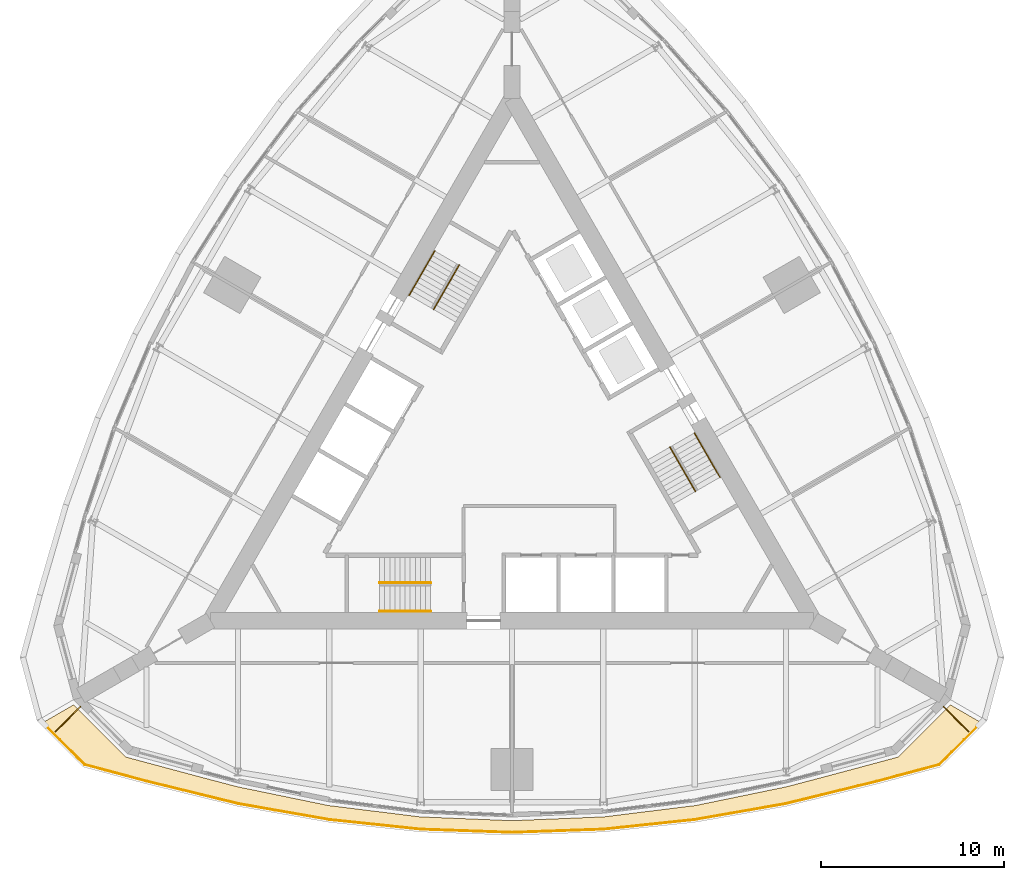
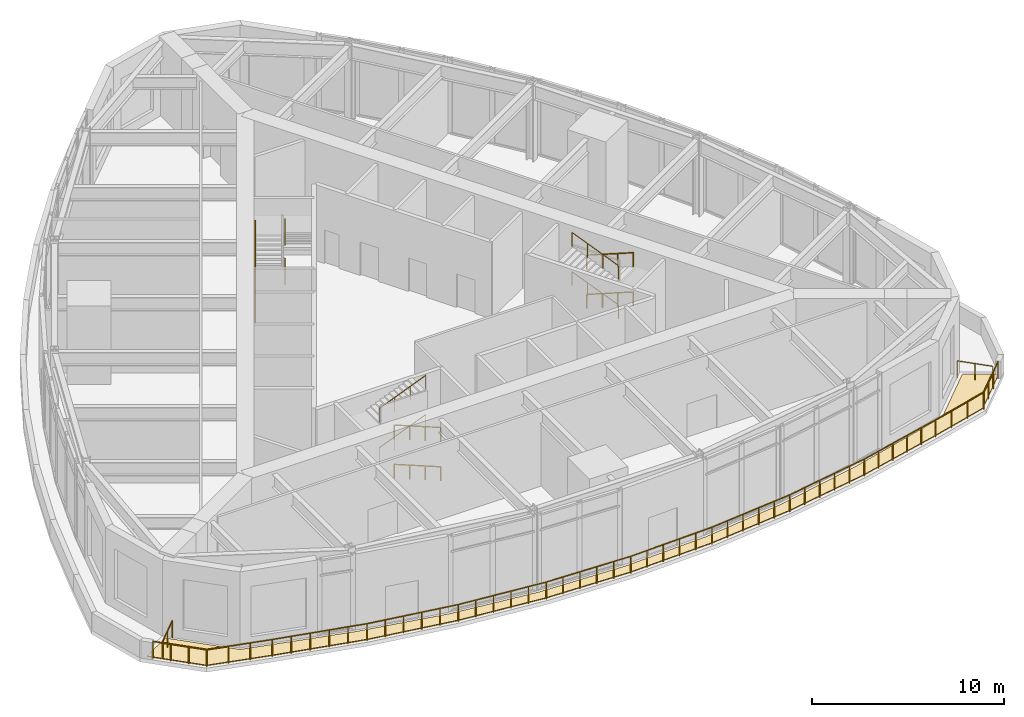
# One storey, part 12 of 13: 15 railings, 1 covering.
"""IFC4 building model written with IfcOpenShell, lengths in metres."""

from ifc_helpers import new_model, si_unit, direction, frame, origin, origin_2d, place, context, subcontext, project, spatial, polyline, circle, outline, extrude, material, layer, layer_set, type_object, element, save


model = new_model("IFC4")

# Units and contexts
model_context = context("Model", 3, precision=1e-05, world=origin(), true_north=direction((0.0, 1.0)))
body_context = subcontext(model_context, "Body", "Model", "MODEL_VIEW")
ifc_project = project(units=[si_unit("LENGTHUNIT", "METRE"), si_unit("AREAUNIT", "SQUARE_METRE"), si_unit("VOLUMEUNIT", "CUBIC_METRE"), si_unit("PLANEANGLEUNIT", "RADIAN"), si_unit("MASSUNIT", "GRAM", prefix="KILO")], contexts=[model_context])

# Site, building, storey
site_placement = place(None, origin())
site = spatial("IfcSite", under=ifc_project, at=site_placement, CompositionType="ELEMENT")
building_placement = place(site_placement, origin())
building = spatial("IfcBuilding", under=site, at=building_placement, Name="Trikona Tower", CompositionType="ELEMENT")
storey_placement = place(building_placement, frame((0.0, 0.0, 195.89990234375)))
storey = spatial("IfcBuildingStorey", under=building, at=storey_placement, Name="L52", CompositionType="ELEMENT", Elevation=195.89990234375)

# Railings
ifc_material_1 = material(Name="Galvanised steel fence with welded mesh infill", Category="steel")
railing_type_1 = type_object("IfcRailingType", Name="Green roof fence 1100", PredefinedType="GUARDRAIL", material=ifc_material_1)
railing_1_placement = place(storey_placement, frame((-24.981689453125, -15.605224609375, 0.0)))
element("IfcRailing", 1, at=railing_1_placement, inside=storey, type_object=railing_type_1, Name="Green roof fence L52-1a", PredefinedType="GUARDRAIL", context=body_context, shape_type="SweptSolid", body=[
    extrude(circle(Radius=0.02392578125, at=origin_2d()), frame((0.0, 0.0, 1.076171875), z_axis=(0.707106781187, 0.707106781187, 0.0), x_axis=(-0.707106781187, 0.707106781187, 0.0)), (0.0, 0.0, 1.0), 1.9306640625),
    extrude(circle(Radius=0.02099609375, at=origin_2d()), origin(), (0.0, 0.0, 1.0), 1.052001953125),
    extrude(circle(Radius=0.02099609375, at=origin_2d()), frame((0.6826171875, 0.6826171875, 0.0)), (0.0, 0.0, 1.0), 1.052001953125),
    extrude(circle(Radius=0.02099609375, at=origin_2d()), frame((1.365234375, 1.365234375, 0.0)), (0.0, 0.0, 1.0), 1.052001953125),
])
railing_2_placement = place(storey_placement, frame((24.981689453125, -15.605224609375, 0.0)))
element("IfcRailing", 2, at=railing_2_placement, inside=storey, type_object=railing_type_1, Name="Green roof fence L52-1b", PredefinedType="GUARDRAIL", context=body_context, shape_type="SweptSolid", body=[
    extrude(circle(Radius=0.02392578125, at=origin_2d()), frame((0.0, 0.0, 1.076171875), z_axis=(-0.707106781187, 0.707106781187, 0.0), x_axis=(-0.707106781187, -0.707106781187, 0.0)), (0.0, 0.0, 1.0), 1.9306640625),
    extrude(circle(Radius=0.02099609375, at=origin_2d()), origin(), (0.0, 0.0, 1.0), 1.052001953125),
    extrude(circle(Radius=0.02099609375, at=origin_2d()), frame((-0.6826171875, 0.6826171875, 0.0)), (0.0, 0.0, 1.0), 1.052001953125),
    extrude(circle(Radius=0.02099609375, at=origin_2d()), frame((-1.365234375, 1.365234375, 0.0)), (0.0, 0.0, 1.0), 1.052001953125),
])
ifc_material_2 = material(Name="Stainless steel handrail", Category="steel")
railing_type_2 = type_object("IfcRailingType", Name="Stair handrail", PredefinedType="HANDRAIL", material=ifc_material_2)
railing_3_placement = place(storey_placement, frame((-4.449951171875, -9.016357421875, 0.11376953125)))
element("IfcRailing", 3, at=railing_3_placement, inside=storey, type_object=railing_type_2, Name="Stair handrail A L52 1", PredefinedType="HANDRAIL", context=body_context, shape_type="SweptSolid", body=[
    extrude(circle(Radius=0.02392578125, at=origin_2d()), frame((0.0, 0.0, 0.8759765625), z_axis=(-0.92661529123, 0.0, 0.376010773859), x_axis=(0.0, -1.0, 0.0)), (0.0, 0.0, 1.0), 3.021728515625),
    extrude(circle(Radius=0.02099609375, at=origin_2d()), origin(), (0.0, 0.0, 1.0), 0.851806640625),
    extrude(circle(Radius=0.02099609375, at=origin_2d()), frame((-0.933349609375, 0.0, 0.378662109375)), (0.0, 0.0, 1.0), 0.851806640625),
    extrude(circle(Radius=0.02099609375, at=origin_2d()), frame((-1.86669921875, 0.0, 0.757568359375)), (0.0, 0.0, 1.0), 0.851806640625),
    extrude(circle(Radius=0.02099609375, at=origin_2d()), frame((-2.800048828125, 0.0, 1.13623046875)), (0.0, 0.0, 1.0), 0.851806640625),
])
railing_4_placement = place(storey_placement, frame((-7.25, -7.46630859375, 1.36376953125)))
element("IfcRailing", 4, at=railing_4_placement, inside=storey, type_object=railing_type_2, Name="Stair handrail A L52 2", PredefinedType="HANDRAIL", context=body_context, shape_type="SweptSolid", body=[
    extrude(circle(Radius=0.02392578125, at=origin_2d()), frame((0.0, 0.0, 0.8759765625), z_axis=(0.92661529123, 0.0, 0.376010773859), x_axis=(0.0, 1.0, 0.0)), (0.0, 0.0, 1.0), 3.021728515625),
    extrude(circle(Radius=0.02099609375, at=origin_2d()), origin(), (0.0, 0.0, 1.0), 0.851806640625),
    extrude(circle(Radius=0.02099609375, at=origin_2d()), frame((0.933349609375, 0.0, 0.378662109375)), (0.0, 0.0, 1.0), 0.851806640625),
    extrude(circle(Radius=0.02099609375, at=origin_2d()), frame((1.86669921875, 0.0, 0.757568359375)), (0.0, 0.0, 1.0), 0.851806640625),
    extrude(circle(Radius=0.02099609375, at=origin_2d()), frame((2.800048828125, 0.0, 1.13623046875)), (0.0, 0.0, 1.0), 0.851806640625),
])
railing_5_placement = place(storey_placement, frame((-4.449951171875, -9.016357421875, 2.61376953125)))
element("IfcRailing", 5, at=railing_5_placement, inside=storey, type_object=railing_type_2, Name="Stair handrail A L52 3", PredefinedType="HANDRAIL", context=body_context, shape_type="SweptSolid", body=[
    extrude(circle(Radius=0.02392578125, at=origin_2d()), frame((0.0, 0.0, 0.8759765625), z_axis=(-0.92661529123, 0.0, 0.376010773859), x_axis=(0.0, -1.0, 0.0)), (0.0, 0.0, 1.0), 3.021728515625),
    extrude(circle(Radius=0.02099609375, at=origin_2d()), origin(), (0.0, 0.0, 1.0), 0.851806640625),
    extrude(circle(Radius=0.02099609375, at=origin_2d()), frame((-0.933349609375, 0.0, 0.378662109375)), (0.0, 0.0, 1.0), 0.851806640625),
    extrude(circle(Radius=0.02099609375, at=origin_2d()), frame((-1.86669921875, 0.0, 0.757568359375)), (0.0, 0.0, 1.0), 0.851806640625),
    extrude(circle(Radius=0.02099609375, at=origin_2d()), frame((-2.800048828125, 0.0, 1.13623046875)), (0.0, 0.0, 1.0), 0.851806640625),
])
railing_6_placement = place(storey_placement, frame((-7.25, -7.46630859375, 3.86376953125)))
element("IfcRailing", 6, at=railing_6_placement, inside=storey, type_object=railing_type_2, Name="Stair handrail A L52 4", PredefinedType="HANDRAIL", context=body_context, shape_type="SweptSolid", body=[
    extrude(circle(Radius=0.02392578125, at=origin_2d()), frame((0.0, 0.0, 0.8759765625), z_axis=(0.92661529123, 0.0, 0.376010773859), x_axis=(0.0, 1.0, 0.0)), (0.0, 0.0, 1.0), 3.021728515625),
    extrude(circle(Radius=0.02099609375, at=origin_2d()), origin(), (0.0, 0.0, 1.0), 0.851806640625),
    extrude(circle(Radius=0.02099609375, at=origin_2d()), frame((0.933349609375, 0.0, 0.378662109375)), (0.0, 0.0, 1.0), 0.851806640625),
    extrude(circle(Radius=0.02099609375, at=origin_2d()), frame((1.86669921875, 0.0, 0.757568359375)), (0.0, 0.0, 1.0), 0.851806640625),
    extrude(circle(Radius=0.02099609375, at=origin_2d()), frame((2.800048828125, 0.0, 1.13623046875)), (0.0, 0.0, 1.0), 0.851806640625),
])
railing_7_placement = place(storey_placement, frame((9.9833984375, 0.740966796875, 0.11376953125)))
element("IfcRailing", 7, at=railing_7_placement, inside=storey, type_object=railing_type_2, Name="Stair handrail B L52 1", PredefinedType="HANDRAIL", context=body_context, shape_type="SweptSolid", body=[
    extrude(circle(Radius=0.02392578125, at=origin_2d()), frame((0.0, 0.0, 0.8759765625), z_axis=(0.463259259941, -0.802503353505, 0.37600428946), x_axis=(0.866056369097, 0.49994636267, 0.0)), (0.0, 0.0, 1.0), 3.02197265625),
    extrude(circle(Radius=0.02099609375, at=origin_2d()), origin(), (0.0, 0.0, 1.0), 0.851806640625),
    extrude(circle(Radius=0.02099609375, at=origin_2d()), frame((0.466552734375, -0.808349609375, 0.378662109375)), (0.0, 0.0, 1.0), 0.851806640625),
    extrude(circle(Radius=0.02099609375, at=origin_2d()), frame((0.933349609375, -1.61669921875, 0.757568359375)), (0.0, 0.0, 1.0), 0.851806640625),
    extrude(circle(Radius=0.02099609375, at=origin_2d()), frame((1.39990234375, -2.425048828125, 1.13623046875)), (0.0, 0.0, 1.0), 0.851806640625),
])
railing_8_placement = place(storey_placement, frame((10.041015625, -2.458984375, 1.36376953125)))
element("IfcRailing", 8, at=railing_8_placement, inside=storey, type_object=railing_type_2, Name="Stair handrail B L52 2", PredefinedType="HANDRAIL", context=body_context, shape_type="SweptSolid", body=[
    extrude(circle(Radius=0.02392578125, at=origin_2d()), frame((0.0, 0.0, 0.8759765625), z_axis=(-0.463259259941, 0.802503353505, 0.37600428946), x_axis=(-0.866056369097, -0.49994636267, 0.0)), (0.0, 0.0, 1.0), 3.02197265625),
    extrude(circle(Radius=0.02099609375, at=origin_2d()), origin(), (0.0, 0.0, 1.0), 0.851806640625),
    extrude(circle(Radius=0.02099609375, at=origin_2d()), frame((-0.466552734375, 0.808349609375, 0.378662109375)), (0.0, 0.0, 1.0), 0.851806640625),
    extrude(circle(Radius=0.02099609375, at=origin_2d()), frame((-0.933349609375, 1.61669921875, 0.757568359375)), (0.0, 0.0, 1.0), 0.851806640625),
    extrude(circle(Radius=0.02099609375, at=origin_2d()), frame((-1.39990234375, 2.425048828125, 1.13623046875)), (0.0, 0.0, 1.0), 0.851806640625),
])
railing_9_placement = place(storey_placement, frame((9.9833984375, 0.740966796875, 2.61376953125)))
element("IfcRailing", 9, at=railing_9_placement, inside=storey, type_object=railing_type_2, Name="Stair handrail B L52 3", PredefinedType="HANDRAIL", context=body_context, shape_type="SweptSolid", body=[
    extrude(circle(Radius=0.02392578125, at=origin_2d()), frame((0.0, 0.0, 0.8759765625), z_axis=(0.463259259941, -0.802503353505, 0.37600428946), x_axis=(0.866056369097, 0.49994636267, 0.0)), (0.0, 0.0, 1.0), 3.02197265625),
    extrude(circle(Radius=0.02099609375, at=origin_2d()), origin(), (0.0, 0.0, 1.0), 0.851806640625),
    extrude(circle(Radius=0.02099609375, at=origin_2d()), frame((0.466552734375, -0.808349609375, 0.378662109375)), (0.0, 0.0, 1.0), 0.851806640625),
    extrude(circle(Radius=0.02099609375, at=origin_2d()), frame((0.933349609375, -1.61669921875, 0.757568359375)), (0.0, 0.0, 1.0), 0.851806640625),
    extrude(circle(Radius=0.02099609375, at=origin_2d()), frame((1.39990234375, -2.425048828125, 1.13623046875)), (0.0, 0.0, 1.0), 0.851806640625),
])
railing_10_placement = place(storey_placement, frame((10.041015625, -2.458984375, 3.86376953125)))
element("IfcRailing", 10, at=railing_10_placement, inside=storey, type_object=railing_type_2, Name="Stair handrail B L52 4", PredefinedType="HANDRAIL", context=body_context, shape_type="SweptSolid", body=[
    extrude(circle(Radius=0.02392578125, at=origin_2d()), frame((0.0, 0.0, 0.8759765625), z_axis=(-0.463259259941, 0.802503353505, 0.37600428946), x_axis=(-0.866056369097, -0.49994636267, 0.0)), (0.0, 0.0, 1.0), 3.02197265625),
    extrude(circle(Radius=0.02099609375, at=origin_2d()), origin(), (0.0, 0.0, 1.0), 0.851806640625),
    extrude(circle(Radius=0.02099609375, at=origin_2d()), frame((-0.466552734375, 0.808349609375, 0.378662109375)), (0.0, 0.0, 1.0), 0.851806640625),
    extrude(circle(Radius=0.02099609375, at=origin_2d()), frame((-0.933349609375, 1.61669921875, 0.757568359375)), (0.0, 0.0, 1.0), 0.851806640625),
    extrude(circle(Radius=0.02099609375, at=origin_2d()), frame((-1.39990234375, 2.425048828125, 1.13623046875)), (0.0, 0.0, 1.0), 0.851806640625),
])
railing_11_placement = place(storey_placement, frame((-5.63330078125, 8.275390625, 0.11376953125)))
element("IfcRailing", 11, at=railing_11_placement, inside=storey, type_object=railing_type_2, Name="Stair handrail C L52 1", PredefinedType="HANDRAIL", context=body_context, shape_type="SweptSolid", body=[
    extrude(circle(Radius=0.02392578125, at=origin_2d()), frame((0.0, 0.0, 0.8759765625), z_axis=(0.463289297025, 0.802474589824, 0.376028669053), x_axis=(-0.866034573852, 0.49998411664, 0.0)), (0.0, 0.0, 1.0), 3.021728515625),
    extrude(circle(Radius=0.02099609375, at=origin_2d()), origin(), (0.0, 0.0, 1.0), 0.851806640625),
    extrude(circle(Radius=0.02099609375, at=origin_2d()), frame((0.466552734375, 0.808349609375, 0.378662109375)), (0.0, 0.0, 1.0), 0.851806640625),
    extrude(circle(Radius=0.02099609375, at=origin_2d()), frame((0.933349609375, 1.616455078125, 0.757568359375)), (0.0, 0.0, 1.0), 0.851806640625),
    extrude(circle(Radius=0.02099609375, at=origin_2d()), frame((1.39990234375, 2.4248046875, 1.13623046875)), (0.0, 0.0, 1.0), 0.851806640625),
])
railing_12_placement = place(storey_placement, frame((-2.89111328125, 9.92529296875, 1.36376953125)))
element("IfcRailing", 12, at=railing_12_placement, inside=storey, type_object=railing_type_2, Name="Stair handrail C L52 2", PredefinedType="HANDRAIL", context=body_context, shape_type="SweptSolid", body=[
    extrude(circle(Radius=0.02392578125, at=origin_2d()), frame((0.0, 0.0, 0.8759765625), z_axis=(-0.463259259941, -0.802503353505, 0.37600428946), x_axis=(0.866056369097, -0.49994636267, 0.0)), (0.0, 0.0, 1.0), 3.02197265625),
    extrude(circle(Radius=0.02099609375, at=origin_2d()), origin(), (0.0, 0.0, 1.0), 0.851806640625),
    extrude(circle(Radius=0.02099609375, at=origin_2d()), frame((-0.466552734375, -0.808349609375, 0.378662109375)), (0.0, 0.0, 1.0), 0.851806640625),
    extrude(circle(Radius=0.02099609375, at=origin_2d()), frame((-0.933349609375, -1.61669921875, 0.757568359375)), (0.0, 0.0, 1.0), 0.851806640625),
    extrude(circle(Radius=0.02099609375, at=origin_2d()), frame((-1.39990234375, -2.425048828125, 1.13623046875)), (0.0, 0.0, 1.0), 0.851806640625),
])
railing_13_placement = place(storey_placement, frame((-5.63330078125, 8.275390625, 2.61376953125)))
element("IfcRailing", 13, at=railing_13_placement, inside=storey, type_object=railing_type_2, Name="Stair handrail C L52 3", PredefinedType="HANDRAIL", context=body_context, shape_type="SweptSolid", body=[
    extrude(circle(Radius=0.02392578125, at=origin_2d()), frame((0.0, 0.0, 0.8759765625), z_axis=(0.463289297025, 0.802474589824, 0.376028669053), x_axis=(-0.866034573852, 0.49998411664, 0.0)), (0.0, 0.0, 1.0), 3.021728515625),
    extrude(circle(Radius=0.02099609375, at=origin_2d()), origin(), (0.0, 0.0, 1.0), 0.851806640625),
    extrude(circle(Radius=0.02099609375, at=origin_2d()), frame((0.466552734375, 0.808349609375, 0.378662109375)), (0.0, 0.0, 1.0), 0.851806640625),
    extrude(circle(Radius=0.02099609375, at=origin_2d()), frame((0.933349609375, 1.616455078125, 0.757568359375)), (0.0, 0.0, 1.0), 0.851806640625),
    extrude(circle(Radius=0.02099609375, at=origin_2d()), frame((1.39990234375, 2.4248046875, 1.13623046875)), (0.0, 0.0, 1.0), 0.851806640625),
])
railing_14_placement = place(storey_placement, frame((-2.89111328125, 9.92529296875, 3.86376953125)))
element("IfcRailing", 14, at=railing_14_placement, inside=storey, type_object=railing_type_2, Name="Stair handrail C L52 4", PredefinedType="HANDRAIL", context=body_context, shape_type="SweptSolid", body=[
    extrude(circle(Radius=0.02392578125, at=origin_2d()), frame((0.0, 0.0, 0.8759765625), z_axis=(-0.463259259941, -0.802503353505, 0.37600428946), x_axis=(0.866056369097, -0.49994636267, 0.0)), (0.0, 0.0, 1.0), 3.02197265625),
    extrude(circle(Radius=0.02099609375, at=origin_2d()), origin(), (0.0, 0.0, 1.0), 0.851806640625),
    extrude(circle(Radius=0.02099609375, at=origin_2d()), frame((-0.466552734375, -0.808349609375, 0.378662109375)), (0.0, 0.0, 1.0), 0.851806640625),
    extrude(circle(Radius=0.02099609375, at=origin_2d()), frame((-0.933349609375, -1.61669921875, 0.757568359375)), (0.0, 0.0, 1.0), 0.851806640625),
    extrude(circle(Radius=0.02099609375, at=origin_2d()), frame((-1.39990234375, -2.425048828125, 1.13623046875)), (0.0, 0.0, 1.0), 0.851806640625),
])
ifc_material_3 = material(Name="Stainless steel guard with glass infill", Category="steel")
railing_type_3 = type_object("IfcRailingType", Name="Terrace guard 1100", PredefinedType="GUARDRAIL", material=ifc_material_3)
railing_15_placement = place(storey_placement, frame((25.441162109375, -15.357666015625, 0.0)))
element("IfcRailing", 15, at=railing_15_placement, inside=storey, type_object=railing_type_3, Name="Terrace guard L52-1", PredefinedType="GUARDRAIL", context=body_context, shape_type="SweptSolid", body=[
    extrude(circle(Radius=0.02392578125, at=origin_2d()), frame((0.0, 0.0, 1.076171875), z_axis=(-0.707064772764, -0.707148787114, 0.0), x_axis=(0.707148787114, -0.707064772764, 0.0)), (0.0, 0.0, 1.0), 2.906005859375),
    extrude(circle(Radius=0.02392578125, at=origin_2d()), frame((-2.0546875, -2.054931640625, 1.076171875), z_axis=(-0.965938214088, -0.25877280878, 0.0), x_axis=(0.25877280878, -0.965938214088, 0.0)), (0.0, 0.0, 1.0), 3.544677734375),
    extrude(circle(Radius=0.02392578125, at=origin_2d()), frame((-5.478515625, -2.97216796875, 1.076171875), z_axis=(-0.97127424408, -0.237962902121, 0.0), x_axis=(0.237962902121, -0.97127424408, 0.0)), (0.0, 0.0, 1.0), 5.14111328125),
    extrude(circle(Radius=0.02392578125, at=origin_2d()), frame((-10.471923828125, -4.195556640625, 1.076171875), z_axis=(-0.98502903505, -0.172388515014, 0.0), x_axis=(0.172388515014, -0.98502903505, 0.0)), (0.0, 0.0, 1.0), 5.06591796875),
    extrude(circle(Radius=0.02392578125, at=origin_2d()), frame((-15.4619140625, -5.06884765625, 1.076171875), z_axis=(-0.994532616168, -0.104426411307, 0.0), x_axis=(0.104426411307, -0.994532616168, 0.0)), (0.0, 0.0, 1.0), 5.01708984375),
    extrude(circle(Radius=0.02392578125, at=origin_2d()), frame((-20.45166015625, -5.5927734375, 1.076171875), z_axis=(-0.999388566341, -0.034964174044, 0.0), x_axis=(0.034964174044, -0.999388566341, 0.0)), (0.0, 0.0, 1.0), 4.99267578125),
    extrude(circle(Radius=0.02392578125, at=origin_2d()), frame((-25.441162109375, -5.767333984375, 1.076171875), z_axis=(-0.999388566341, 0.034964174044, 0.0), x_axis=(-0.034964174044, -0.999388566341, 0.0)), (0.0, 0.0, 1.0), 4.99267578125),
    extrude(circle(Radius=0.02392578125, at=origin_2d()), frame((-30.4306640625, -5.5927734375, 1.076171875), z_axis=(-0.994532616168, 0.104426411307, 0.0), x_axis=(-0.104426411307, -0.994532616168, 0.0)), (0.0, 0.0, 1.0), 5.01708984375),
    extrude(circle(Radius=0.02392578125, at=origin_2d()), frame((-35.42041015625, -5.06884765625, 1.076171875), z_axis=(-0.98502903505, 0.172388515014, 0.0), x_axis=(-0.172388515014, -0.98502903505, 0.0)), (0.0, 0.0, 1.0), 5.06591796875),
    extrude(circle(Radius=0.02392578125, at=origin_2d()), frame((-40.410400390625, -4.195556640625, 1.076171875), z_axis=(-0.97127424408, 0.237962902121, 0.0), x_axis=(-0.237962902121, -0.97127424408, 0.0)), (0.0, 0.0, 1.0), 5.14111328125),
    extrude(circle(Radius=0.02392578125, at=origin_2d()), frame((-45.40380859375, -2.97216796875, 1.076171875), z_axis=(-0.965938214088, 0.25877280878, 0.0), x_axis=(-0.25877280878, -0.965938214088, 0.0)), (0.0, 0.0, 1.0), 3.544677734375),
    extrude(circle(Radius=0.02392578125, at=origin_2d()), frame((-48.82763671875, -2.054931640625, 1.076171875), z_axis=(-0.707064772764, 0.707148787114, 0.0), x_axis=(-0.707148787114, -0.707064772764, 0.0)), (0.0, 0.0, 1.0), 2.906005859375),
    extrude(circle(Radius=0.02099609375, at=origin_2d()), origin(), (0.0, 0.0, 1.0), 1.052001953125),
    extrude(circle(Radius=0.02099609375, at=origin_2d()), frame((-0.684814453125, -0.68505859375, 0.0)), (0.0, 0.0, 1.0), 1.052001953125),
    extrude(circle(Radius=0.02099609375, at=origin_2d()), frame((-1.369873046875, -1.369873046875, 0.0)), (0.0, 0.0, 1.0), 1.052001953125),
    extrude(circle(Radius=0.02099609375, at=origin_2d()), frame((-2.0546875, -2.054931640625, 0.0)), (0.0, 0.0, 1.0), 1.052001953125),
    extrude(circle(Radius=0.02099609375, at=origin_2d()), frame((-3.196044921875, -2.360595703125, 0.0)), (0.0, 0.0, 1.0), 1.052001953125),
    extrude(circle(Radius=0.02099609375, at=origin_2d()), frame((-4.337158203125, -2.66650390625, 0.0)), (0.0, 0.0, 1.0), 1.052001953125),
    extrude(circle(Radius=0.02099609375, at=origin_2d()), frame((-5.478515625, -2.97216796875, 0.0)), (0.0, 0.0, 1.0), 1.052001953125),
    extrude(circle(Radius=0.02099609375, at=origin_2d()), frame((-6.477294921875, -3.216796875, 0.0)), (0.0, 0.0, 1.0), 1.052001953125),
    extrude(circle(Radius=0.02099609375, at=origin_2d()), frame((-7.475830078125, -3.46142578125, 0.0)), (0.0, 0.0, 1.0), 1.052001953125),
    extrude(circle(Radius=0.02099609375, at=origin_2d()), frame((-8.474609375, -3.706298828125, 0.0)), (0.0, 0.0, 1.0), 1.052001953125),
    extrude(circle(Radius=0.02099609375, at=origin_2d()), frame((-9.47314453125, -3.950927734375, 0.0)), (0.0, 0.0, 1.0), 1.052001953125),
    extrude(circle(Radius=0.02099609375, at=origin_2d()), frame((-10.471923828125, -4.195556640625, 0.0)), (0.0, 0.0, 1.0), 1.052001953125),
    extrude(circle(Radius=0.02099609375, at=origin_2d()), frame((-11.469970703125, -4.3701171875, 0.0)), (0.0, 0.0, 1.0), 1.052001953125),
    extrude(circle(Radius=0.02099609375, at=origin_2d()), frame((-12.468017578125, -4.544921875, 0.0)), (0.0, 0.0, 1.0), 1.052001953125),
    extrude(circle(Radius=0.02099609375, at=origin_2d()), frame((-13.4658203125, -4.719482421875, 0.0)), (0.0, 0.0, 1.0), 1.052001953125),
    extrude(circle(Radius=0.02099609375, at=origin_2d()), frame((-14.4638671875, -4.894287109375, 0.0)), (0.0, 0.0, 1.0), 1.052001953125),
    extrude(circle(Radius=0.02099609375, at=origin_2d()), frame((-15.4619140625, -5.06884765625, 0.0)), (0.0, 0.0, 1.0), 1.052001953125),
    extrude(circle(Radius=0.02099609375, at=origin_2d()), frame((-16.4599609375, -5.173583984375, 0.0)), (0.0, 0.0, 1.0), 1.052001953125),
    extrude(circle(Radius=0.02099609375, at=origin_2d()), frame((-17.457763671875, -5.2783203125, 0.0)), (0.0, 0.0, 1.0), 1.052001953125),
    extrude(circle(Radius=0.02099609375, at=origin_2d()), frame((-18.455810546875, -5.38330078125, 0.0)), (0.0, 0.0, 1.0), 1.052001953125),
    extrude(circle(Radius=0.02099609375, at=origin_2d()), frame((-19.45361328125, -5.488037109375, 0.0)), (0.0, 0.0, 1.0), 1.052001953125),
    extrude(circle(Radius=0.02099609375, at=origin_2d()), frame((-20.45166015625, -5.5927734375, 0.0)), (0.0, 0.0, 1.0), 1.052001953125),
    extrude(circle(Radius=0.02099609375, at=origin_2d()), frame((-21.449462890625, -5.627685546875, 0.0)), (0.0, 0.0, 1.0), 1.052001953125),
    extrude(circle(Radius=0.02099609375, at=origin_2d()), frame((-22.447509765625, -5.66259765625, 0.0)), (0.0, 0.0, 1.0), 1.052001953125),
    extrude(circle(Radius=0.02099609375, at=origin_2d()), frame((-23.4453125, -5.697509765625, 0.0)), (0.0, 0.0, 1.0), 1.052001953125),
    extrude(circle(Radius=0.02099609375, at=origin_2d()), frame((-24.443359375, -5.732421875, 0.0)), (0.0, 0.0, 1.0), 1.052001953125),
    extrude(circle(Radius=0.02099609375, at=origin_2d()), frame((-25.441162109375, -5.767333984375, 0.0)), (0.0, 0.0, 1.0), 1.052001953125),
    extrude(circle(Radius=0.02099609375, at=origin_2d()), frame((-26.43896484375, -5.732421875, 0.0)), (0.0, 0.0, 1.0), 1.052001953125),
    extrude(circle(Radius=0.02099609375, at=origin_2d()), frame((-27.43701171875, -5.697509765625, 0.0)), (0.0, 0.0, 1.0), 1.052001953125),
    extrude(circle(Radius=0.02099609375, at=origin_2d()), frame((-28.434814453125, -5.66259765625, 0.0)), (0.0, 0.0, 1.0), 1.052001953125),
    extrude(circle(Radius=0.02099609375, at=origin_2d()), frame((-29.432861328125, -5.627685546875, 0.0)), (0.0, 0.0, 1.0), 1.052001953125),
    extrude(circle(Radius=0.02099609375, at=origin_2d()), frame((-30.4306640625, -5.5927734375, 0.0)), (0.0, 0.0, 1.0), 1.052001953125),
    extrude(circle(Radius=0.02099609375, at=origin_2d()), frame((-31.4287109375, -5.488037109375, 0.0)), (0.0, 0.0, 1.0), 1.052001953125),
    extrude(circle(Radius=0.02099609375, at=origin_2d()), frame((-32.426513671875, -5.38330078125, 0.0)), (0.0, 0.0, 1.0), 1.052001953125),
    extrude(circle(Radius=0.02099609375, at=origin_2d()), frame((-33.424560546875, -5.2783203125, 0.0)), (0.0, 0.0, 1.0), 1.052001953125),
    extrude(circle(Radius=0.02099609375, at=origin_2d()), frame((-34.42236328125, -5.173583984375, 0.0)), (0.0, 0.0, 1.0), 1.052001953125),
    extrude(circle(Radius=0.02099609375, at=origin_2d()), frame((-35.42041015625, -5.06884765625, 0.0)), (0.0, 0.0, 1.0), 1.052001953125),
    extrude(circle(Radius=0.02099609375, at=origin_2d()), frame((-36.41845703125, -4.894287109375, 0.0)), (0.0, 0.0, 1.0), 1.052001953125),
    extrude(circle(Radius=0.02099609375, at=origin_2d()), frame((-37.41650390625, -4.719482421875, 0.0)), (0.0, 0.0, 1.0), 1.052001953125),
    extrude(circle(Radius=0.02099609375, at=origin_2d()), frame((-38.414306640625, -4.544921875, 0.0)), (0.0, 0.0, 1.0), 1.052001953125),
    extrude(circle(Radius=0.02099609375, at=origin_2d()), frame((-39.412353515625, -4.3701171875, 0.0)), (0.0, 0.0, 1.0), 1.052001953125),
    extrude(circle(Radius=0.02099609375, at=origin_2d()), frame((-40.410400390625, -4.195556640625, 0.0)), (0.0, 0.0, 1.0), 1.052001953125),
    extrude(circle(Radius=0.02099609375, at=origin_2d()), frame((-41.4091796875, -3.950927734375, 0.0)), (0.0, 0.0, 1.0), 1.052001953125),
    extrude(circle(Radius=0.02099609375, at=origin_2d()), frame((-42.40771484375, -3.706298828125, 0.0)), (0.0, 0.0, 1.0), 1.052001953125),
    extrude(circle(Radius=0.02099609375, at=origin_2d()), frame((-43.406494140625, -3.46142578125, 0.0)), (0.0, 0.0, 1.0), 1.052001953125),
    extrude(circle(Radius=0.02099609375, at=origin_2d()), frame((-44.405029296875, -3.216796875, 0.0)), (0.0, 0.0, 1.0), 1.052001953125),
    extrude(circle(Radius=0.02099609375, at=origin_2d()), frame((-45.40380859375, -2.97216796875, 0.0)), (0.0, 0.0, 1.0), 1.052001953125),
    extrude(circle(Radius=0.02099609375, at=origin_2d()), frame((-46.545166015625, -2.66650390625, 0.0)), (0.0, 0.0, 1.0), 1.052001953125),
    extrude(circle(Radius=0.02099609375, at=origin_2d()), frame((-47.686279296875, -2.360595703125, 0.0)), (0.0, 0.0, 1.0), 1.052001953125),
    extrude(circle(Radius=0.02099609375, at=origin_2d()), frame((-48.82763671875, -2.054931640625, 0.0)), (0.0, 0.0, 1.0), 1.052001953125),
    extrude(circle(Radius=0.02099609375, at=origin_2d()), frame((-49.512451171875, -1.369873046875, 0.0)), (0.0, 0.0, 1.0), 1.052001953125),
    extrude(circle(Radius=0.02099609375, at=origin_2d()), frame((-50.197509765625, -0.68505859375, 0.0)), (0.0, 0.0, 1.0), 1.052001953125),
    extrude(circle(Radius=0.02099609375, at=origin_2d()), frame((-50.88232421875, 0.0, 0.0)), (0.0, 0.0, 1.0), 1.052001953125),
])

# Covering
ifc_material_4 = material(Name="Clay brick pavers on pedestals", Category="masonry")
ifc_layer = layer(ifc_material_4, 0.050048828125)
ifc_layer_set = layer_set([ifc_layer], Name="Terrace paving 50")
covering_type = type_object("IfcCoveringType", Name="Terrace paving 50", PredefinedType="FLOORING", material=ifc_layer_set)
covering_placement = place(storey_placement, origin())
element("IfcCovering", 16, at=covering_placement, inside=storey, type_object=covering_type, Name="Terrace paving L52", PredefinedType="FLOORING", context=body_context, shape_type="SweptSolid", body=[
    extrude(outline(polyline([(-25.6376953125, -15.090576171875), (-23.360595703125, -17.36767578125), (-19.9501953125, -18.281494140625), (-14.958984375, -19.50439453125), (-9.972412109375, -20.376953125), (-4.986083984375, -20.900634765625), (0.0, -21.0751953125), (4.986083984375, -20.900634765625), (9.972412109375, -20.376953125), (14.958984375, -19.50439453125), (19.9501953125, -18.281494140625), (23.360595703125, -17.36767578125), (25.6376953125, -15.090576171875), (23.997314453125, -14.143310546875), (21.179931640625, -16.960693359375), (21.151123046875, -16.98388671875), (21.1328125, -16.994384765625), (21.0986328125, -17.0078125), (17.0517578125, -18.092041015625), (15.043212890625, -18.62109375), (10.03662109375, -19.652099609375), (5.0205078125, -20.27197265625), (-0.004150390625, -20.47900390625), (-5.0205078125, -20.27197265625), (-10.03662109375, -19.652099609375), (-15.043212890625, -18.62109375), (-17.0517578125, -18.092041015625), (-21.0986328125, -17.0078125), (-21.1328125, -16.994384765625), (-21.151123046875, -16.98388671875), (-21.179931640625, -16.960693359375), (-23.997314453125, -14.143310546875), (-25.6376953125, -15.090576171875)])), origin(), (0.0, 0.0, 1.0), 0.050048828125),
])

save(model, "model.ifc")
